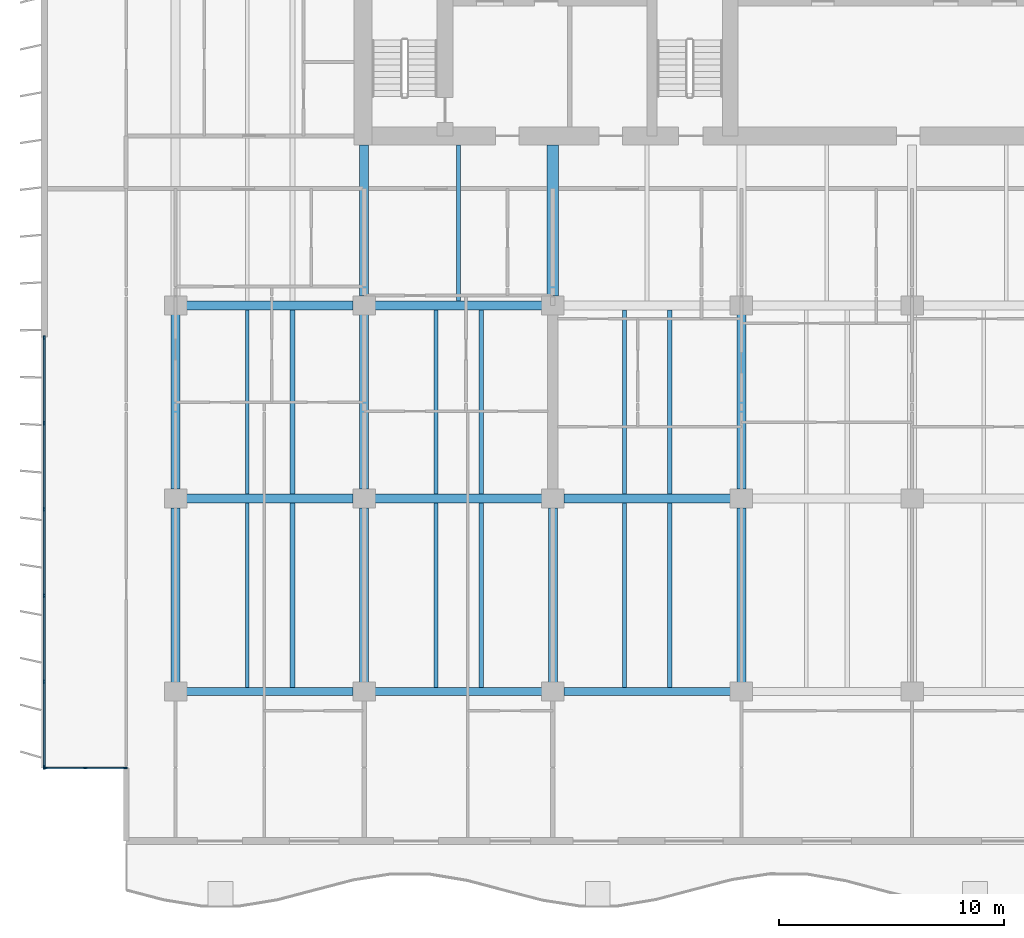
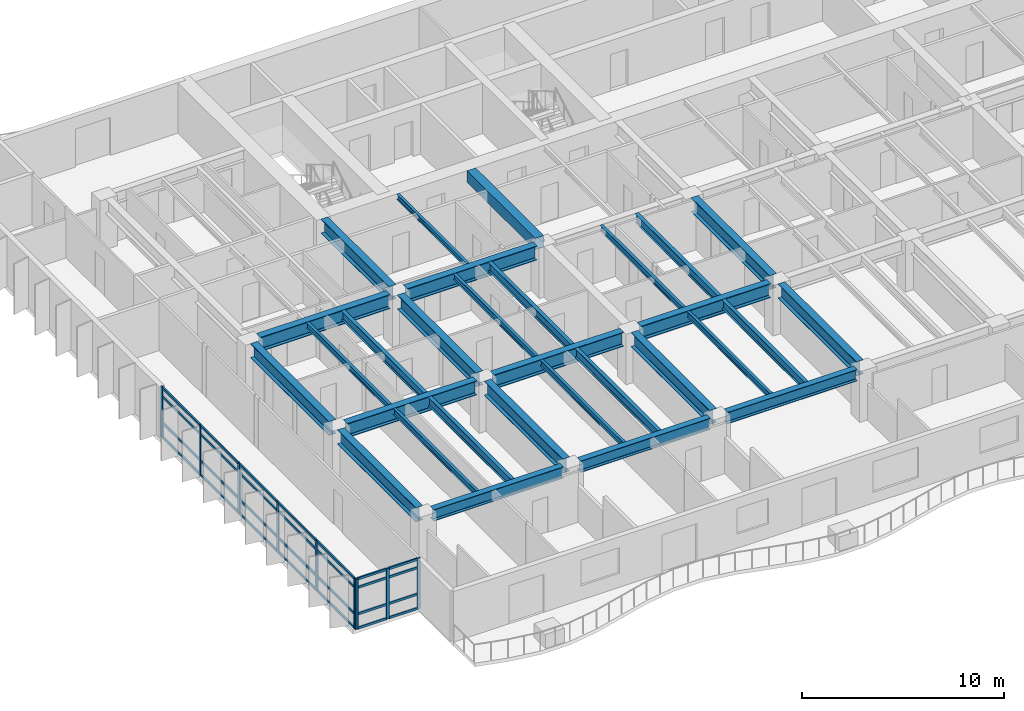
# One storey, part 2 of 16: 37 members, 30 beams, 2 elements without a shape of their own.
"""IFC4 building model written with IfcOpenShell, lengths in metres."""

import ifcopenshell
import ifcopenshell.guid

model = None  # the IFC model being written
_history = None  # IfcOwnerHistory: only IFC2X3 demands one
_inside = {}  # id of a spatial element -> (the spatial element, [elements in it])
_under = {}  # id of a project, library or spatial element -> (it, [spatial elements below it])
_declared = {}  # id of a project -> (the project, [libraries it declares])
_typed = {}  # id of a type object -> (the type object, [elements of that type])
_made_of = {}  # id of a material, layer set ... -> (it, [elements and type objects made of it])


def new_model(schema):
    """Start an empty IFC model of exactly this schema.

    Asked for "IFC4X3", IfcOpenShell would pick the latest addendum, in which some entities
    have other attributes; the version numbers below select the first issue.
    IFC2X3 requires an IfcOwnerHistory on every rooted entity: one is made here for all.
    """
    global model, _history
    if schema == "IFC4X3":
        model = ifcopenshell.file(schema_version=(4, 3, 0, 0))
    else:
        model = ifcopenshell.file(schema=schema)
    _inside.clear()
    _under.clear()
    _declared.clear()
    _typed.clear()
    _made_of.clear()
    _history = None
    if model.schema == "IFC2X3":
        org = make("IfcOrganization", Name="unknown")
        user = make(
            "IfcPersonAndOrganization",
            ThePerson=make("IfcPerson", FamilyName="unknown"),
            TheOrganization=org,
        )
        app = make(
            "IfcApplication",
            ApplicationDeveloper=org,
            Version="unknown",
            ApplicationFullName="unknown",
            ApplicationIdentifier="unknown",
        )
        _history = make(
            "IfcOwnerHistory",
            OwningUser=user,
            OwningApplication=app,
            ChangeAction="ADDED",
            CreationDate=0,
        )
    return model


def make(cls, **values):
    """One entity of the class cls with the attributes given. An attribute that is None is left unset."""
    return model.create_entity(
        cls, **{name: value for name, value in values.items() if value is not None}
    )


def rooted(cls, **values):
    """An entity with a GlobalId (a new one), such as an element, a storey or a relation."""
    return make(cls, GlobalId=ifcopenshell.guid.new(), OwnerHistory=_history, **values)


def si_unit(unit_type, name, prefix=None):
    """IfcSIUnit, for example si_unit("LENGTHUNIT", "METRE", prefix="MILLI")."""
    return make("IfcSIUnit", UnitType=unit_type, Prefix=prefix, Name=name)


def assignment(units):
    """IfcUnitAssignment: the units of a project."""
    return None if units is None else make("IfcUnitAssignment", Units=units)


def point(xyz):
    """IfcCartesianPoint."""
    return None if xyz is None else make("IfcCartesianPoint", Coordinates=xyz)


def direction(xyz):
    """IfcDirection."""
    return None if xyz is None else make("IfcDirection", DirectionRatios=xyz)


def frame(location, z_axis=None, x_axis=None):
    """IfcAxis2Placement3D, a coordinate frame: its origin and axes. An axis left out is left unset."""
    return make(
        "IfcAxis2Placement3D",
        Location=point(location),
        Axis=direction(z_axis),
        RefDirection=direction(x_axis),
    )


def frame_2d(location, x_axis=None):
    """IfcAxis2Placement2D, a coordinate frame in the plane: its origin and x axis."""
    return make(
        "IfcAxis2Placement2D", Location=point(location), RefDirection=direction(x_axis)
    )


def origin():
    """The frame at (0, 0, 0) with its axes left unset."""
    return frame((0.0, 0.0, 0.0))


def origin_2d():
    """The frame at (0, 0) in the plane with its x axis left unset."""
    return frame_2d((0.0, 0.0))


def place(relative_to, where):
    """IfcLocalPlacement: puts the frame where relative to a parent placement (None: the world)."""
    return make(
        "IfcLocalPlacement", PlacementRelTo=relative_to, RelativePlacement=where
    )


def context(
    kind, dimensions, precision=None, world=None, true_north=None, identifier=None
):
    """IfcGeometricRepresentationContext, for example the 3D "Model" context."""
    return make(
        "IfcGeometricRepresentationContext",
        ContextIdentifier=identifier,
        ContextType=kind,
        CoordinateSpaceDimension=dimensions,
        Precision=precision,
        WorldCoordinateSystem=world,
        TrueNorth=true_north,
    )


def subcontext(parent, identifier, kind, view, scale=None):
    """IfcGeometricRepresentationSubContext, for example "Body" below "Model"."""
    return make(
        "IfcGeometricRepresentationSubContext",
        ContextIdentifier=identifier,
        ContextType=kind,
        ParentContext=parent,
        TargetScale=scale,
        TargetView=view,
    )


def project(units=None, contexts=None):
    """IfcProject with its units and contexts."""
    return rooted(
        "IfcProject",
        Name="project",
        RepresentationContexts=contexts,
        UnitsInContext=assignment(units),
    )


def spatial(cls, under=None, at=None, **own):
    """A site, building, storey or space (cls), placed at a placement, below another one or the project."""
    s = rooted(cls, ObjectPlacement=at, **own)
    if under is not None:
        _under.setdefault(under.id(), (under, []))[1].append(s)
    return s


def profile(cls, at=None, kind="AREA", **sizes):
    """A parametric profile (cls). Its sizes go by their IFC names, for example OverallWidth=200.0."""
    return make(cls, ProfileType=kind, Position=at, **sizes)


def rectangle(**sizes):
    """IfcRectangleProfileDef."""
    return profile("IfcRectangleProfileDef", **sizes)


def i_section(**sizes):
    """IfcIShapeProfileDef."""
    return profile("IfcIShapeProfileDef", **sizes)


def extrude(swept, where, along, depth):
    """IfcExtrudedAreaSolid: the profile swept, set in the frame where, extruded along a direction by depth."""
    return make(
        "IfcExtrudedAreaSolid",
        SweptArea=swept,
        Position=where,
        ExtrudedDirection=direction(along),
        Depth=depth,
    )


def shape(context_of_items, identifier, shape_type, items):
    """IfcShapeRepresentation: the items that make up one representation, for example the "Body"."""
    return make(
        "IfcShapeRepresentation",
        ContextOfItems=context_of_items,
        RepresentationIdentifier=identifier,
        RepresentationType=shape_type,
        Items=items,
    )


def material(Name=None, Category=None):
    """IfcMaterial."""
    return make("IfcMaterial", Name=Name, Category=Category)


def layer(
    of_material, thickness, ventilated=None, Name=None, Category=None, Priority=None
):
    """IfcMaterialLayer: one layer of a wall or slab, of a material (None: an air gap)."""
    return make(
        "IfcMaterialLayer",
        Material=of_material,
        LayerThickness=thickness,
        IsVentilated=ventilated,
        Name=Name,
        Category=Category,
        Priority=Priority,
    )


def layer_set(layers, Name=None):
    """IfcMaterialLayerSet."""
    return make("IfcMaterialLayerSet", MaterialLayers=layers, LayerSetName=Name)


def material_profile(
    of_material, cross_section, Name=None, Category=None, Priority=None
):
    """IfcMaterialProfile: a cross section and its material."""
    return make(
        "IfcMaterialProfile",
        Name=Name,
        Material=of_material,
        Profile=cross_section,
        Priority=Priority,
        Category=Category,
    )


def profile_set(profiles, Name=None, composite=None):
    """IfcMaterialProfileSet."""
    return make(
        "IfcMaterialProfileSet",
        Name=Name,
        MaterialProfiles=profiles,
        CompositeProfile=composite,
    )


def made_of(thing, what):
    """Note that an element or type object is made of a material, layer set ...; save() writes the relation."""
    if what is not None:
        _made_of.setdefault(what.id(), (what, []))[1].append(thing)
    return thing


def type_object(cls, material=None, **own):
    """A type object (cls), such as IfcWallType, which elements share."""
    return made_of(rooted(cls, **own), material)


def element(
    cls,
    number,
    at=None,
    inside=None,
    cuts=None,
    type_object=None,
    material=None,
    context=None,
    identifier="Body",
    shape_type=None,
    held_by="IfcProductDefinitionShape",
    body=None,
    shapes=None,
    **own,
):
    """One element of the class cls, such as IfcWall. Its Tag is "e" and its number.

    at: its placement. inside: the storey or other place that contains it. cuts: it is an
    opening in that element (IfcRelVoidsElement). A single representation is given by context,
    identifier, shape_type and body (its items); several are given by shapes. held_by: the class
    of the entity that holds the representations. save() writes the other relations.
    """
    e = rooted(cls, Tag="e%d" % number, ObjectPlacement=at, **own)
    if body is not None:
        shapes = [shape(context, identifier, shape_type, body)]
    if shapes is not None:
        e.Representation = make(held_by, Representations=shapes)
    if inside is not None:
        _inside.setdefault(inside.id(), (inside, []))[1].append(e)
    if cuts is not None:
        rooted(
            "IfcRelVoidsElement", RelatingBuildingElement=cuts, RelatedOpeningElement=e
        )
    if type_object is not None:
        _typed.setdefault(type_object.id(), (type_object, []))[1].append(e)
    return made_of(e, material)


def aggregate(whole, parts):
    """IfcRelAggregates: a whole, such as a stair, and the parts it consists of."""
    return rooted("IfcRelAggregates", RelatingObject=whole, RelatedObjects=parts)


def save(model, path):
    """Write the relations noted so far, then the file.

    IfcRelAggregates (storeys below a building ...), IfcRelContainedInSpatialStructure (elements
    in a storey), IfcRelDefinesByType, IfcRelAssociatesMaterial and IfcRelDeclares: one each for
    every whole, place, type object, material and project.
    """
    for whole, parts in _under.values():
        aggregate(whole, parts)
    for where, things in _inside.values():
        rooted(
            "IfcRelContainedInSpatialStructure",
            RelatedElements=things,
            RelatingStructure=where,
        )
    for kind, things in _typed.values():
        rooted("IfcRelDefinesByType", RelatedObjects=things, RelatingType=kind)
    for what, things in _made_of.values():
        rooted("IfcRelAssociatesMaterial", RelatedObjects=things, RelatingMaterial=what)
    for by, libraries in _declared.values():
        rooted("IfcRelDeclares", RelatingContext=by, RelatedDefinitions=libraries)
    model.write(path)


model = new_model("IFC4")

# Units and contexts
model_context = context("Model", 3, precision=1e-05, world=origin(), true_north=direction((0.0, 1.0)))
body_context = subcontext(model_context, "Body", "Model", "MODEL_VIEW")
ifc_project = project(units=[si_unit("LENGTHUNIT", "METRE"), si_unit("AREAUNIT", "SQUARE_METRE"), si_unit("VOLUMEUNIT", "CUBIC_METRE"), si_unit("PLANEANGLEUNIT", "RADIAN"), si_unit("MASSUNIT", "GRAM", prefix="KILO")], contexts=[model_context])

# Site, building, storey
site_placement = place(None, origin())
site = spatial("IfcSite", under=ifc_project, at=site_placement, CompositionType="ELEMENT")
building_placement = place(site_placement, origin())
building = spatial("IfcBuilding", under=site, at=building_placement, Name="Caelmar Bay Residences", CompositionType="ELEMENT")
storey_placement = place(building_placement, frame((0.0, 0.0, 102.60009765625)))
storey = spatial("IfcBuildingStorey", under=building, at=storey_placement, Name="L27", CompositionType="ELEMENT", Elevation=102.60009765625)

# Beams
ifc_material_1 = material(Name="Steel ASTM A992 Grade 50", Category="steel")
ifc_material_profile_1 = material_profile(ifc_material_1, i_section(OverallWidth=0.40087890625, OverallDepth=0.861083984375, WebThickness=0.019775390625, FlangeThickness=0.032470703125, FilletRadius=0.017822265625, at=origin_2d()), Name="W33X221")
ifc_profile_set_1 = profile_set([ifc_material_profile_1], Name="Steel ASTM A992 Grade 50")
beam_type_1 = type_object("IfcBeamType", Name="BM-GRD-W33X221", PredefinedType="BEAM", material=ifc_profile_set_1)
beam_1_placement = place(storey_placement, frame((10.389892578125, 20.800048828125, 2.619384765625), z_axis=(1.0, 0.0, 0.0), x_axis=(0.0, 1.0, 0.0)))
element("IfcBeam", 1, at=beam_1_placement, inside=storey, type_object=beam_type_1, Name="L27 East-West Girder Y=20.80 (9.9-18.3)", PredefinedType="BEAM", context=body_context, shape_type="SweptSolid", body=[
    extrude(i_section(OverallWidth=0.40087890625, OverallDepth=0.861083984375, WebThickness=0.019775390625, FlangeThickness=0.032470703125, FilletRadius=0.017822265625, at=origin_2d()), origin(), (0.0, 0.0, 1.0), 7.420166015625),
])
beam_2_placement = place(storey_placement, frame((18.7900390625, 20.800048828125, 2.619384765625), z_axis=(1.0, 0.0, 0.0), x_axis=(0.0, 1.0, 0.0)))
element("IfcBeam", 2, at=beam_2_placement, inside=storey, type_object=beam_type_1, Name="L27 East-West Girder Y=20.80 (18.3-26.7)", PredefinedType="BEAM", context=body_context, shape_type="SweptSolid", body=[
    extrude(i_section(OverallWidth=0.40087890625, OverallDepth=0.861083984375, WebThickness=0.019775390625, FlangeThickness=0.032470703125, FilletRadius=0.017822265625, at=origin_2d()), origin(), (0.0, 0.0, 1.0), 7.419921875),
])
for number, where, z_axis, x_axis, name in (
    (3, (27.18994140625, 20.800048828125, 2.619384765625), (1.0, 0.0, 0.0), (0.0, 1.0, 0.0), "L27 East-West Girder Y=20.80 (26.7-35.1)"),
    (4, (10.389892578125, 29.39990234375, 2.619384765625), (1.0, 0.0, 0.0), (0.0, 1.0, 0.0), "L27 East-West Girder Y=29.40 (9.9-18.3)"),
):
    element("IfcBeam", number, at=place(storey_placement, frame(where, z_axis=z_axis, x_axis=x_axis)), inside=storey, type_object=beam_type_1, Name=name, PredefinedType="BEAM", context=body_context, shape_type="SweptSolid", body=[
        extrude(i_section(OverallWidth=0.40087890625, OverallDepth=0.861083984375, WebThickness=0.019775390625, FlangeThickness=0.032470703125, FilletRadius=0.017822265625, at=origin_2d()), origin(), (0.0, 0.0, 1.0), 7.420166015625),
    ])
beam_3_placement = place(storey_placement, frame((18.7900390625, 29.39990234375, 2.619384765625), z_axis=(1.0, 0.0, 0.0), x_axis=(0.0, 1.0, 0.0)))
element("IfcBeam", 5, at=beam_3_placement, inside=storey, type_object=beam_type_1, Name="L27 East-West Girder Y=29.40 (18.3-26.7)", PredefinedType="BEAM", context=body_context, shape_type="SweptSolid", body=[
    extrude(i_section(OverallWidth=0.40087890625, OverallDepth=0.861083984375, WebThickness=0.019775390625, FlangeThickness=0.032470703125, FilletRadius=0.017822265625, at=origin_2d()), origin(), (0.0, 0.0, 1.0), 7.419921875),
])
for number, where, z_axis, x_axis, name in (
    (6, (9.89990234375, 12.614990234375, 2.619384765625), (0.0, 1.0, 0.0), (-1.0, 0.0, 0.0), "L27 North-South Girder X=9.90 (12.2-20.8)"),
    (7, (9.89990234375, 21.215087890625, 2.619384765625), (0.0, 1.0, 0.0), (-1.0, 0.0, 0.0), "L27 North-South Girder X=9.90 (20.8-29.4)"),
):
    element("IfcBeam", number, at=place(storey_placement, frame(where, z_axis=z_axis, x_axis=x_axis)), inside=storey, type_object=beam_type_1, Name=name, PredefinedType="BEAM", context=body_context, shape_type="SweptSolid", body=[
        extrude(i_section(OverallWidth=0.40087890625, OverallDepth=0.861083984375, WebThickness=0.019775390625, FlangeThickness=0.032470703125, FilletRadius=0.017822265625, at=origin_2d()), origin(), (0.0, 0.0, 1.0), 7.77001953125),
    ])
beam_4_placement = place(storey_placement, frame((18.300048828125, 29.81494140625, 2.619384765625), z_axis=(0.0, 1.0, 0.0), x_axis=(-1.0, 0.0, 0.0)))
element("IfcBeam", 8, at=beam_4_placement, inside=storey, type_object=beam_type_1, Name="L27 Core Tie Girder X=18.30", PredefinedType="BEAM", context=body_context, shape_type="SweptSolid", body=[
    extrude(i_section(OverallWidth=0.40087890625, OverallDepth=0.861083984375, WebThickness=0.019775390625, FlangeThickness=0.032470703125, FilletRadius=0.017822265625, at=origin_2d()), origin(), (0.0, 0.0, 1.0), 6.735107421875),
])
for number, where, z_axis, x_axis, name in (
    (9, (18.300048828125, 12.614990234375, 2.619384765625), (0.0, 1.0, 0.0), (-1.0, 0.0, 0.0), "L27 North-South Girder X=18.30 (12.2-20.8)"),
    (10, (18.300048828125, 21.215087890625, 2.619384765625), (0.0, 1.0, 0.0), (-1.0, 0.0, 0.0), "L27 North-South Girder X=18.30 (20.8-29.4)"),
    (11, (26.699951171875, 12.614990234375, 2.619384765625), (0.0, 1.0, 0.0), (-1.0, 0.0, 0.0), "L27 North-South Girder X=26.70 (12.2-20.8)"),
    (12, (35.10009765625, 12.614990234375, 2.619384765625), (0.0, 1.0, 0.0), (-1.0, 0.0, 0.0), "L27 North-South Girder X=35.10 (12.2-20.8)"),
    (13, (35.10009765625, 21.215087890625, 2.619384765625), (0.0, 1.0, 0.0), (-1.0, 0.0, 0.0), "L27 North-South Girder X=35.10 (20.8-29.4)"),
):
    element("IfcBeam", number, at=place(storey_placement, frame(where, z_axis=z_axis, x_axis=x_axis)), inside=storey, type_object=beam_type_1, Name=name, PredefinedType="BEAM", context=body_context, shape_type="SweptSolid", body=[
        extrude(i_section(OverallWidth=0.40087890625, OverallDepth=0.861083984375, WebThickness=0.019775390625, FlangeThickness=0.032470703125, FilletRadius=0.017822265625, at=origin_2d()), origin(), (0.0, 0.0, 1.0), 7.77001953125),
    ])
ifc_material_profile_2 = material_profile(ifc_material_1, i_section(OverallWidth=0.1650390625, OverallDepth=0.31005859375, WebThickness=0.005859375, FlangeThickness=0.009765625, FilletRadius=0.007568359375, at=origin_2d()), Name="W12X26")
ifc_profile_set_2 = profile_set([ifc_material_profile_2], Name="Steel ASTM A992 Grade 50")
beam_type_2 = type_object("IfcBeamType", Name="BM-JST-W12X26", PredefinedType="JOIST", material=ifc_profile_set_2)
beam_5_placement = place(storey_placement, frame((22.5, 29.6005859375, 2.89501953125), z_axis=(0.0, 1.0, 0.0), x_axis=(-1.0, 0.0, 0.0)))
element("IfcBeam", 14, at=beam_5_placement, inside=storey, type_object=beam_type_2, Name="L27 Core-Band Composite Joist 29", PredefinedType="JOIST", context=body_context, shape_type="SweptSolid", body=[
    extrude(i_section(OverallWidth=0.1650390625, OverallDepth=0.31005859375, WebThickness=0.005859375, FlangeThickness=0.009765625, FilletRadius=0.007568359375, at=origin_2d()), origin(), (0.0, 0.0, 1.0), 6.949462890625),
])
ifc_material_profile_3 = material_profile(ifc_material_1, i_section(OverallWidth=0.1708984375, OverallDepth=0.35595703125, WebThickness=0.007080078125, FlangeThickness=0.01171875, FilletRadius=0.007568359375, at=origin_2d()), Name="W14X34")
ifc_profile_set_3 = profile_set([ifc_material_profile_3], Name="Steel ASTM A992 Grade 50")
beam_type_3 = type_object("IfcBeamType", Name="BM-JST-W14X34", PredefinedType="JOIST", material=ifc_profile_set_3)
for number, where, z_axis, x_axis, name in (
    (15, (13.092041015625, 12.3779296875, 2.871826171875), (0.0, 1.0, 0.0), (-1.0, 0.0, 0.0), "L27 Composite Floor Joist 1"),
    (16, (21.491943359375, 12.3779296875, 2.871826171875), (0.0, 1.0, 0.0), (-1.0, 0.0, 0.0), "L27 Composite Floor Joist 3"),
    (17, (29.89208984375, 12.3779296875, 2.871826171875), (0.0, 1.0, 0.0), (-1.0, 0.0, 0.0), "L27 Composite Floor Joist 5"),
):
    element("IfcBeam", number, at=place(storey_placement, frame(where, z_axis=z_axis, x_axis=x_axis)), inside=storey, type_object=beam_type_3, Name=name, PredefinedType="JOIST", context=body_context, shape_type="SweptSolid", body=[
        extrude(i_section(OverallWidth=0.1708984375, OverallDepth=0.35595703125, WebThickness=0.007080078125, FlangeThickness=0.01171875, FilletRadius=0.007568359375, at=origin_2d()), origin(), (0.0, 0.0, 1.0), 8.2216796875),
    ])
for number, where, z_axis, x_axis, name in (
    (18, (13.092041015625, 21.00048828125, 2.871826171875), (0.0, 1.0, 0.0), (-1.0, 0.0, 0.0), "L27 Composite Floor Joist 15"),
    (19, (21.491943359375, 21.00048828125, 2.871826171875), (0.0, 1.0, 0.0), (-1.0, 0.0, 0.0), "L27 Composite Floor Joist 17"),
    (20, (29.89208984375, 21.00048828125, 2.871826171875), (0.0, 1.0, 0.0), (-1.0, 0.0, 0.0), "L27 Composite Floor Joist 19"),
):
    element("IfcBeam", number, at=place(storey_placement, frame(where, z_axis=z_axis, x_axis=x_axis)), inside=storey, type_object=beam_type_3, Name=name, PredefinedType="JOIST", context=body_context, shape_type="SweptSolid", body=[
        extrude(i_section(OverallWidth=0.1708984375, OverallDepth=0.35595703125, WebThickness=0.007080078125, FlangeThickness=0.01171875, FilletRadius=0.007568359375, at=origin_2d()), origin(), (0.0, 0.0, 1.0), 8.198974609375),
    ])
ifc_material_profile_4 = material_profile(ifc_material_1, i_section(OverallWidth=0.2099609375, OverallDepth=0.535888671875, WebThickness=0.010986328125, FlangeThickness=0.017333984375, FilletRadius=0.0126953125, at=origin_2d()), Name="W21X68")
ifc_profile_set_4 = profile_set([ifc_material_profile_4], Name="Steel ASTM A992 Grade 50")
beam_type_4 = type_object("IfcBeamType", Name="BM-JST-W21X68", PredefinedType="JOIST", material=ifc_profile_set_4)
for number, where, z_axis, x_axis, name in (
    (21, (15.10791015625, 12.3779296875, 2.781982421875), (0.0, 1.0, 0.0), (-1.0, 0.0, 0.0), "L27 Composite Floor Joist 2"),
    (22, (23.508056640625, 12.3779296875, 2.781982421875), (0.0, 1.0, 0.0), (-1.0, 0.0, 0.0), "L27 Composite Floor Joist 4"),
    (23, (31.907958984375, 12.3779296875, 2.781982421875), (0.0, 1.0, 0.0), (-1.0, 0.0, 0.0), "L27 Composite Floor Joist 6"),
):
    element("IfcBeam", number, at=place(storey_placement, frame(where, z_axis=z_axis, x_axis=x_axis)), inside=storey, type_object=beam_type_4, Name=name, PredefinedType="JOIST", context=body_context, shape_type="SweptSolid", body=[
        extrude(i_section(OverallWidth=0.2099609375, OverallDepth=0.535888671875, WebThickness=0.010986328125, FlangeThickness=0.017333984375, FilletRadius=0.0126953125, at=origin_2d()), origin(), (0.0, 0.0, 1.0), 8.2216796875),
    ])
for number, where, z_axis, x_axis, name in (
    (24, (15.10791015625, 21.00048828125, 2.781982421875), (0.0, 1.0, 0.0), (-1.0, 0.0, 0.0), "L27 Composite Floor Joist 16"),
    (25, (23.508056640625, 21.00048828125, 2.781982421875), (0.0, 1.0, 0.0), (-1.0, 0.0, 0.0), "L27 Composite Floor Joist 18"),
    (26, (31.907958984375, 21.00048828125, 2.781982421875), (0.0, 1.0, 0.0), (-1.0, 0.0, 0.0), "L27 Composite Floor Joist 20"),
):
    element("IfcBeam", number, at=place(storey_placement, frame(where, z_axis=z_axis, x_axis=x_axis)), inside=storey, type_object=beam_type_4, Name=name, PredefinedType="JOIST", context=body_context, shape_type="SweptSolid", body=[
        extrude(i_section(OverallWidth=0.2099609375, OverallDepth=0.535888671875, WebThickness=0.010986328125, FlangeThickness=0.017333984375, FilletRadius=0.0126953125, at=origin_2d()), origin(), (0.0, 0.0, 1.0), 8.198974609375),
    ])
ifc_material_2 = material(Name="Concrete f'c 55 MPa (8,000 psi)", Category="concrete")
ifc_material_profile_5 = material_profile(ifc_material_2, rectangle(XDim=0.5, YDim=0.699951171875, at=origin_2d()), Name="RC-BM-500X700")
ifc_profile_set_5 = profile_set([ifc_material_profile_5], Name="Concrete f'c 55 MPa (8,000 psi)")
beam_type_5 = type_object("IfcBeamType", Name="BM-RC-500X700", PredefinedType="LINTEL", material=ifc_profile_set_5)
beam_6_placement = place(storey_placement, frame((26.699951171875, 29.81494140625, 2.699951171875), z_axis=(0.0, 1.0, 0.0), x_axis=(-1.0, 0.0, 0.0)))
element("IfcBeam", 27, at=beam_6_placement, inside=storey, type_object=beam_type_5, Name="L27 Shear-Wall Corridor Coupling Lintel W5", PredefinedType="LINTEL", context=body_context, shape_type="SweptSolid", body=[
    extrude(rectangle(XDim=0.5, YDim=0.699951171875, at=origin_2d()), origin(), (0.0, 0.0, 1.0), 6.735107421875),
])
ifc_material_profile_6 = material_profile(ifc_material_1, i_section(OverallWidth=0.35595703125, OverallDepth=0.696044921875, WebThickness=0.015380859375, FlangeThickness=0.02490234375, FilletRadius=0.01513671875, at=origin_2d()), Name="W27X146")
ifc_profile_set_6 = profile_set([ifc_material_profile_6], Name="Steel ASTM A992 Grade 50")
beam_type_6 = type_object("IfcBeamType", Name="BM-SPN-W27X146", PredefinedType="SPANDREL", material=ifc_profile_set_6)
beam_7_placement = place(storey_placement, frame((10.389892578125, 12.199951171875, 2.701904296875), z_axis=(1.0, 0.0, 0.0), x_axis=(0.0, 1.0, 0.0)))
element("IfcBeam", 28, at=beam_7_placement, inside=storey, type_object=beam_type_6, Name="L27 East-West Girder Y=12.20 (9.9-18.3)", PredefinedType="SPANDREL", context=body_context, shape_type="SweptSolid", body=[
    extrude(i_section(OverallWidth=0.35595703125, OverallDepth=0.696044921875, WebThickness=0.015380859375, FlangeThickness=0.02490234375, FilletRadius=0.01513671875, at=origin_2d()), origin(), (0.0, 0.0, 1.0), 7.420166015625),
])
beam_8_placement = place(storey_placement, frame((18.7900390625, 12.199951171875, 2.701904296875), z_axis=(1.0, 0.0, 0.0), x_axis=(0.0, 1.0, 0.0)))
element("IfcBeam", 29, at=beam_8_placement, inside=storey, type_object=beam_type_6, Name="L27 East-West Girder Y=12.20 (18.3-26.7)", PredefinedType="SPANDREL", context=body_context, shape_type="SweptSolid", body=[
    extrude(i_section(OverallWidth=0.35595703125, OverallDepth=0.696044921875, WebThickness=0.015380859375, FlangeThickness=0.02490234375, FilletRadius=0.01513671875, at=origin_2d()), origin(), (0.0, 0.0, 1.0), 7.419921875),
])
beam_9_placement = place(storey_placement, frame((27.18994140625, 12.199951171875, 2.701904296875), z_axis=(1.0, 0.0, 0.0), x_axis=(0.0, 1.0, 0.0)))
element("IfcBeam", 30, at=beam_9_placement, inside=storey, type_object=beam_type_6, Name="L27 East-West Girder Y=12.20 (26.7-35.1)", PredefinedType="SPANDREL", context=body_context, shape_type="SweptSolid", body=[
    extrude(i_section(OverallWidth=0.35595703125, OverallDepth=0.696044921875, WebThickness=0.015380859375, FlangeThickness=0.02490234375, FilletRadius=0.01513671875, at=origin_2d()), origin(), (0.0, 0.0, 1.0), 7.420166015625),
])

# Curtain wall, members
ifc_material_3 = material(Name="Anodised bronze aluminium 6063-T6 and laminated glass", Category="aluminium")
ifc_layer_1 = layer(ifc_material_3, 0.179931640625)
ifc_layer_set_1 = layer_set([ifc_layer_1], Name="Anodised bronze aluminium 6063-T6 and laminated glass")
curtain_wall_type_1 = type_object("IfcCurtainWallType", Name="CW6-NTC", PredefinedType="NOTDEFINED", material=ifc_layer_set_1)
curtain_wall_1_placement = place(storey_placement, origin())
curtain_wall_1 = element("IfcCurtainWall", 31, at=curtain_wall_1_placement, inside=storey, type_object=curtain_wall_type_1, Name="CW6 curtain wall L27", PredefinedType="NOTDEFINED")
ifc_material_4 = material(Name="Anodised bronze aluminium 6063-T6", Category="aluminium")
ifc_material_profile_7 = material_profile(ifc_material_4, rectangle(XDim=0.080078125, YDim=0.179931640625, at=origin_2d()), Name="CWM-80X180")
ifc_profile_set_7 = profile_set([ifc_material_profile_7], Name="Anodised bronze aluminium 6063-T6")
member_type_1 = type_object("IfcMemberType", Name="CWM-180", PredefinedType="MULLION", material=ifc_profile_set_7)
member_1_placement = place(storey_placement, frame((4.090087890625, 8.800048828125, 0.0), z_axis=(0.0, 0.0, 1.0), x_axis=(0.0, 1.0, 0.0)))
member_1 = element("IfcMember", 32, at=member_1_placement, type_object=member_type_1, Name="CW6 mullion 1", PredefinedType="MULLION", context=body_context, shape_type="SweptSolid", body=[
    extrude(rectangle(XDim=0.080078125, YDim=0.179931640625, at=origin_2d()), origin(), (0.0, 0.0, 1.0), 3.0498046875),
])
member_2_placement = place(storey_placement, frame((5.875, 8.800048828125, 0.0), z_axis=(0.0, 0.0, 1.0), x_axis=(0.0, 1.0, 0.0)))
member_2 = element("IfcMember", 33, at=member_2_placement, type_object=member_type_1, Name="CW6 mullion 2", PredefinedType="MULLION", context=body_context, shape_type="SweptSolid", body=[
    extrude(rectangle(XDim=0.080078125, YDim=0.179931640625, at=origin_2d()), origin(), (0.0, 0.0, 1.0), 3.0498046875),
])
member_3_placement = place(storey_placement, frame((7.659912109375, 8.800048828125, 0.0), z_axis=(0.0, 0.0, 1.0), x_axis=(0.0, 1.0, 0.0)))
member_3 = element("IfcMember", 34, at=member_3_placement, type_object=member_type_1, Name="CW6 mullion 3", PredefinedType="MULLION", context=body_context, shape_type="SweptSolid", body=[
    extrude(rectangle(XDim=0.080078125, YDim=0.179931640625, at=origin_2d()), origin(), (0.0, 0.0, 1.0), 3.0498046875),
])

ifc_layer_2 = layer(ifc_material_3, 0.179931640625)
ifc_layer_set_2 = layer_set([ifc_layer_2], Name="Anodised bronze aluminium 6063-T6 and laminated glass")
curtain_wall_type_2 = type_object("IfcCurtainWallType", Name="CW3-Z2", PredefinedType="NOTDEFINED", material=ifc_layer_set_2)
curtain_wall_2_placement = place(storey_placement, origin())
curtain_wall_2 = element("IfcCurtainWall", 35, at=curtain_wall_2_placement, inside=storey, type_object=curtain_wall_type_2, Name="CW3 curtain wall L27", PredefinedType="NOTDEFINED")
member_4_placement = place(storey_placement, frame((4.050048828125, 8.840087890625, 0.0), z_axis=(0.0, 0.0, 1.0), x_axis=(-1.0, 0.0, 0.0)))
member_4 = element("IfcMember", 36, at=member_4_placement, type_object=member_type_1, Name="CW3 mullion 1", PredefinedType="MULLION", context=body_context, shape_type="SweptSolid", body=[
    extrude(rectangle(XDim=0.080078125, YDim=0.179931640625, at=origin_2d()), origin(), (0.0, 0.0, 1.0), 3.0498046875),
])
member_5_placement = place(storey_placement, frame((4.050048828125, 12.639892578125, 0.0), z_axis=(0.0, 0.0, 1.0), x_axis=(-1.0, 0.0, 0.0)))
member_5 = element("IfcMember", 37, at=member_5_placement, type_object=member_type_1, Name="CW3 mullion 2", PredefinedType="MULLION", context=body_context, shape_type="SweptSolid", body=[
    extrude(rectangle(XDim=0.080078125, YDim=0.179931640625, at=origin_2d()), origin(), (0.0, 0.0, 1.0), 3.0498046875),
])
member_6_placement = place(storey_placement, frame((4.050048828125, 16.47998046875, 0.0), z_axis=(0.0, 0.0, 1.0), x_axis=(-1.0, 0.0, 0.0)))
member_6 = element("IfcMember", 38, at=member_6_placement, type_object=member_type_1, Name="CW3 mullion 3", PredefinedType="MULLION", context=body_context, shape_type="SweptSolid", body=[
    extrude(rectangle(XDim=0.080078125, YDim=0.179931640625, at=origin_2d()), origin(), (0.0, 0.0, 1.0), 3.0498046875),
])
member_7_placement = place(storey_placement, frame((4.050048828125, 20.320068359375, 0.0), z_axis=(0.0, 0.0, 1.0), x_axis=(-1.0, 0.0, 0.0)))
member_7 = element("IfcMember", 39, at=member_7_placement, type_object=member_type_1, Name="CW3 mullion 4", PredefinedType="MULLION", context=body_context, shape_type="SweptSolid", body=[
    extrude(rectangle(XDim=0.080078125, YDim=0.179931640625, at=origin_2d()), origin(), (0.0, 0.0, 1.0), 3.0498046875),
])
member_8_placement = place(storey_placement, frame((4.050048828125, 24.159912109375, 0.0), z_axis=(0.0, 0.0, 1.0), x_axis=(-1.0, 0.0, 0.0)))
member_8 = element("IfcMember", 40, at=member_8_placement, type_object=member_type_1, Name="CW3 mullion 5", PredefinedType="MULLION", context=body_context, shape_type="SweptSolid", body=[
    extrude(rectangle(XDim=0.080078125, YDim=0.179931640625, at=origin_2d()), origin(), (0.0, 0.0, 1.0), 3.0498046875),
])
member_9_placement = place(storey_placement, frame((4.050048828125, 27.9599609375, 0.0), z_axis=(0.0, 0.0, 1.0), x_axis=(-1.0, 0.0, 0.0)))
member_9 = element("IfcMember", 41, at=member_9_placement, type_object=member_type_1, Name="CW3 mullion 6", PredefinedType="MULLION", context=body_context, shape_type="SweptSolid", body=[
    extrude(rectangle(XDim=0.080078125, YDim=0.179931640625, at=origin_2d()), origin(), (0.0, 0.0, 1.0), 3.0498046875),
])

# Member
ifc_material_profile_8 = material_profile(ifc_material_4, rectangle(XDim=0.080078125, YDim=0.139892578125, at=origin_2d()), Name="CWT-80X140")
ifc_profile_set_8 = profile_set([ifc_material_profile_8], Name="Anodised bronze aluminium 6063-T6")
member_type_2 = type_object("IfcMemberType", Name="CWT-140", PredefinedType="NOTDEFINED", material=ifc_profile_set_8)
member_10_placement = place(storey_placement, frame((4.1298828125, 8.800048828125, 0.039794921875), z_axis=(1.0, 0.0, 0.0), x_axis=(0.0, 1.0, 0.0)))
member_10 = element("IfcMember", 42, at=member_10_placement, type_object=member_type_2, Name="CW6 transom 1.1", ObjectType="TRANSOM", PredefinedType="USERDEFINED", context=body_context, shape_type="SweptSolid", body=[
    extrude(rectangle(XDim=0.080078125, YDim=0.139892578125, at=origin_2d()), origin(), (0.0, 0.0, 1.0), 1.705078125),
])

member_11_placement = place(storey_placement, frame((4.1298828125, 8.800048828125, 0.89990234375), z_axis=(1.0, 0.0, 0.0), x_axis=(0.0, 1.0, 0.0)))
member_11 = element("IfcMember", 43, at=member_11_placement, type_object=member_type_2, Name="CW6 transom 1.2", ObjectType="TRANSOM", PredefinedType="USERDEFINED", context=body_context, shape_type="SweptSolid", body=[
    extrude(rectangle(XDim=0.080078125, YDim=0.139892578125, at=origin_2d()), origin(), (0.0, 0.0, 1.0), 1.705078125),
])

member_12_placement = place(storey_placement, frame((4.1298828125, 8.800048828125, 2.5), z_axis=(1.0, 0.0, 0.0), x_axis=(0.0, 1.0, 0.0)))
member_12 = element("IfcMember", 44, at=member_12_placement, type_object=member_type_2, Name="CW6 transom 1.3", ObjectType="TRANSOM", PredefinedType="USERDEFINED", context=body_context, shape_type="SweptSolid", body=[
    extrude(rectangle(XDim=0.080078125, YDim=0.139892578125, at=origin_2d()), origin(), (0.0, 0.0, 1.0), 1.705078125),
])

member_13_placement = place(storey_placement, frame((4.1298828125, 8.800048828125, 3.010009765625), z_axis=(1.0, 0.0, 0.0), x_axis=(0.0, 1.0, 0.0)))
member_13 = element("IfcMember", 45, at=member_13_placement, type_object=member_type_2, Name="CW6 transom 1.4", ObjectType="TRANSOM", PredefinedType="USERDEFINED", context=body_context, shape_type="SweptSolid", body=[
    extrude(rectangle(XDim=0.080078125, YDim=0.139892578125, at=origin_2d()), origin(), (0.0, 0.0, 1.0), 1.705078125),
])

member_14_placement = place(storey_placement, frame((5.9150390625, 8.800048828125, 0.039794921875), z_axis=(1.0, 0.0, 0.0), x_axis=(0.0, 1.0, 0.0)))
member_14 = element("IfcMember", 46, at=member_14_placement, type_object=member_type_2, Name="CW6 transom 2.1", ObjectType="TRANSOM", PredefinedType="USERDEFINED", context=body_context, shape_type="SweptSolid", body=[
    extrude(rectangle(XDim=0.080078125, YDim=0.139892578125, at=origin_2d()), origin(), (0.0, 0.0, 1.0), 1.705078125),
])

member_15_placement = place(storey_placement, frame((5.9150390625, 8.800048828125, 0.89990234375), z_axis=(1.0, 0.0, 0.0), x_axis=(0.0, 1.0, 0.0)))
member_15 = element("IfcMember", 47, at=member_15_placement, type_object=member_type_2, Name="CW6 transom 2.2", ObjectType="TRANSOM", PredefinedType="USERDEFINED", context=body_context, shape_type="SweptSolid", body=[
    extrude(rectangle(XDim=0.080078125, YDim=0.139892578125, at=origin_2d()), origin(), (0.0, 0.0, 1.0), 1.705078125),
])

member_16_placement = place(storey_placement, frame((5.9150390625, 8.800048828125, 2.5), z_axis=(1.0, 0.0, 0.0), x_axis=(0.0, 1.0, 0.0)))
member_16 = element("IfcMember", 48, at=member_16_placement, type_object=member_type_2, Name="CW6 transom 2.3", ObjectType="TRANSOM", PredefinedType="USERDEFINED", context=body_context, shape_type="SweptSolid", body=[
    extrude(rectangle(XDim=0.080078125, YDim=0.139892578125, at=origin_2d()), origin(), (0.0, 0.0, 1.0), 1.705078125),
])

member_17_placement = place(storey_placement, frame((5.9150390625, 8.800048828125, 3.010009765625), z_axis=(1.0, 0.0, 0.0), x_axis=(0.0, 1.0, 0.0)))
member_17 = element("IfcMember", 49, at=member_17_placement, type_object=member_type_2, Name="CW6 transom 2.4", ObjectType="TRANSOM", PredefinedType="USERDEFINED", context=body_context, shape_type="SweptSolid", body=[
    extrude(rectangle(XDim=0.080078125, YDim=0.139892578125, at=origin_2d()), origin(), (0.0, 0.0, 1.0), 1.705078125),
])

aggregate(curtain_wall_1, [member_1, member_2, member_3, member_10, member_11, member_12, member_13, member_14, member_15, member_16, member_17])

member_18_placement = place(storey_placement, frame((4.050048828125, 8.8798828125, 0.039794921875), z_axis=(0.0, 1.0, 0.0), x_axis=(-1.0, 0.0, 0.0)))
member_18 = element("IfcMember", 50, at=member_18_placement, type_object=member_type_2, Name="CW3 transom 1.1", ObjectType="TRANSOM", PredefinedType="USERDEFINED", context=body_context, shape_type="SweptSolid", body=[
    extrude(rectangle(XDim=0.080078125, YDim=0.139892578125, at=origin_2d()), origin(), (0.0, 0.0, 1.0), 3.72021484375),
])

member_19_placement = place(storey_placement, frame((4.050048828125, 8.8798828125, 0.89990234375), z_axis=(0.0, 1.0, 0.0), x_axis=(-1.0, 0.0, 0.0)))
member_19 = element("IfcMember", 51, at=member_19_placement, type_object=member_type_2, Name="CW3 transom 1.2", ObjectType="TRANSOM", PredefinedType="USERDEFINED", context=body_context, shape_type="SweptSolid", body=[
    extrude(rectangle(XDim=0.080078125, YDim=0.139892578125, at=origin_2d()), origin(), (0.0, 0.0, 1.0), 3.72021484375),
])

member_20_placement = place(storey_placement, frame((4.050048828125, 8.8798828125, 2.5), z_axis=(0.0, 1.0, 0.0), x_axis=(-1.0, 0.0, 0.0)))
member_20 = element("IfcMember", 52, at=member_20_placement, type_object=member_type_2, Name="CW3 transom 1.3", ObjectType="TRANSOM", PredefinedType="USERDEFINED", context=body_context, shape_type="SweptSolid", body=[
    extrude(rectangle(XDim=0.080078125, YDim=0.139892578125, at=origin_2d()), origin(), (0.0, 0.0, 1.0), 3.72021484375),
])

member_21_placement = place(storey_placement, frame((4.050048828125, 8.8798828125, 3.010009765625), z_axis=(0.0, 1.0, 0.0), x_axis=(-1.0, 0.0, 0.0)))
member_21 = element("IfcMember", 53, at=member_21_placement, type_object=member_type_2, Name="CW3 transom 1.4", ObjectType="TRANSOM", PredefinedType="USERDEFINED", context=body_context, shape_type="SweptSolid", body=[
    extrude(rectangle(XDim=0.080078125, YDim=0.139892578125, at=origin_2d()), origin(), (0.0, 0.0, 1.0), 3.72021484375),
])

member_22_placement = place(storey_placement, frame((4.050048828125, 12.679931640625, 0.039794921875), z_axis=(0.0, 1.0, 0.0), x_axis=(-1.0, 0.0, 0.0)))
member_22 = element("IfcMember", 54, at=member_22_placement, type_object=member_type_2, Name="CW3 transom 2.1", ObjectType="TRANSOM", PredefinedType="USERDEFINED", context=body_context, shape_type="SweptSolid", body=[
    extrude(rectangle(XDim=0.080078125, YDim=0.139892578125, at=origin_2d()), origin(), (0.0, 0.0, 1.0), 3.760009765625),
])

member_23_placement = place(storey_placement, frame((4.050048828125, 12.679931640625, 0.89990234375), z_axis=(0.0, 1.0, 0.0), x_axis=(-1.0, 0.0, 0.0)))
member_23 = element("IfcMember", 55, at=member_23_placement, type_object=member_type_2, Name="CW3 transom 2.2", ObjectType="TRANSOM", PredefinedType="USERDEFINED", context=body_context, shape_type="SweptSolid", body=[
    extrude(rectangle(XDim=0.080078125, YDim=0.139892578125, at=origin_2d()), origin(), (0.0, 0.0, 1.0), 3.760009765625),
])

member_24_placement = place(storey_placement, frame((4.050048828125, 12.679931640625, 2.5), z_axis=(0.0, 1.0, 0.0), x_axis=(-1.0, 0.0, 0.0)))
member_24 = element("IfcMember", 56, at=member_24_placement, type_object=member_type_2, Name="CW3 transom 2.3", ObjectType="TRANSOM", PredefinedType="USERDEFINED", context=body_context, shape_type="SweptSolid", body=[
    extrude(rectangle(XDim=0.080078125, YDim=0.139892578125, at=origin_2d()), origin(), (0.0, 0.0, 1.0), 3.760009765625),
])

member_25_placement = place(storey_placement, frame((4.050048828125, 12.679931640625, 3.010009765625), z_axis=(0.0, 1.0, 0.0), x_axis=(-1.0, 0.0, 0.0)))
member_25 = element("IfcMember", 57, at=member_25_placement, type_object=member_type_2, Name="CW3 transom 2.4", ObjectType="TRANSOM", PredefinedType="USERDEFINED", context=body_context, shape_type="SweptSolid", body=[
    extrude(rectangle(XDim=0.080078125, YDim=0.139892578125, at=origin_2d()), origin(), (0.0, 0.0, 1.0), 3.760009765625),
])

member_26_placement = place(storey_placement, frame((4.050048828125, 16.52001953125, 0.039794921875), z_axis=(0.0, 1.0, 0.0), x_axis=(-1.0, 0.0, 0.0)))
member_26 = element("IfcMember", 58, at=member_26_placement, type_object=member_type_2, Name="CW3 transom 3.1", ObjectType="TRANSOM", PredefinedType="USERDEFINED", context=body_context, shape_type="SweptSolid", body=[
    extrude(rectangle(XDim=0.080078125, YDim=0.139892578125, at=origin_2d()), origin(), (0.0, 0.0, 1.0), 3.760009765625),
])

member_27_placement = place(storey_placement, frame((4.050048828125, 16.52001953125, 0.89990234375), z_axis=(0.0, 1.0, 0.0), x_axis=(-1.0, 0.0, 0.0)))
member_27 = element("IfcMember", 59, at=member_27_placement, type_object=member_type_2, Name="CW3 transom 3.2", ObjectType="TRANSOM", PredefinedType="USERDEFINED", context=body_context, shape_type="SweptSolid", body=[
    extrude(rectangle(XDim=0.080078125, YDim=0.139892578125, at=origin_2d()), origin(), (0.0, 0.0, 1.0), 3.760009765625),
])

member_28_placement = place(storey_placement, frame((4.050048828125, 16.52001953125, 2.5), z_axis=(0.0, 1.0, 0.0), x_axis=(-1.0, 0.0, 0.0)))
member_28 = element("IfcMember", 60, at=member_28_placement, type_object=member_type_2, Name="CW3 transom 3.3", ObjectType="TRANSOM", PredefinedType="USERDEFINED", context=body_context, shape_type="SweptSolid", body=[
    extrude(rectangle(XDim=0.080078125, YDim=0.139892578125, at=origin_2d()), origin(), (0.0, 0.0, 1.0), 3.760009765625),
])

member_29_placement = place(storey_placement, frame((4.050048828125, 16.52001953125, 3.010009765625), z_axis=(0.0, 1.0, 0.0), x_axis=(-1.0, 0.0, 0.0)))
member_29 = element("IfcMember", 61, at=member_29_placement, type_object=member_type_2, Name="CW3 transom 3.4", ObjectType="TRANSOM", PredefinedType="USERDEFINED", context=body_context, shape_type="SweptSolid", body=[
    extrude(rectangle(XDim=0.080078125, YDim=0.139892578125, at=origin_2d()), origin(), (0.0, 0.0, 1.0), 3.760009765625),
])

member_30_placement = place(storey_placement, frame((4.050048828125, 20.360107421875, 0.039794921875), z_axis=(0.0, 1.0, 0.0), x_axis=(-1.0, 0.0, 0.0)))
member_30 = element("IfcMember", 62, at=member_30_placement, type_object=member_type_2, Name="CW3 transom 4.1", ObjectType="TRANSOM", PredefinedType="USERDEFINED", context=body_context, shape_type="SweptSolid", body=[
    extrude(rectangle(XDim=0.080078125, YDim=0.139892578125, at=origin_2d()), origin(), (0.0, 0.0, 1.0), 3.760009765625),
])

member_31_placement = place(storey_placement, frame((4.050048828125, 20.360107421875, 0.89990234375), z_axis=(0.0, 1.0, 0.0), x_axis=(-1.0, 0.0, 0.0)))
member_31 = element("IfcMember", 63, at=member_31_placement, type_object=member_type_2, Name="CW3 transom 4.2", ObjectType="TRANSOM", PredefinedType="USERDEFINED", context=body_context, shape_type="SweptSolid", body=[
    extrude(rectangle(XDim=0.080078125, YDim=0.139892578125, at=origin_2d()), origin(), (0.0, 0.0, 1.0), 3.760009765625),
])

member_32_placement = place(storey_placement, frame((4.050048828125, 20.360107421875, 2.5), z_axis=(0.0, 1.0, 0.0), x_axis=(-1.0, 0.0, 0.0)))
member_32 = element("IfcMember", 64, at=member_32_placement, type_object=member_type_2, Name="CW3 transom 4.3", ObjectType="TRANSOM", PredefinedType="USERDEFINED", context=body_context, shape_type="SweptSolid", body=[
    extrude(rectangle(XDim=0.080078125, YDim=0.139892578125, at=origin_2d()), origin(), (0.0, 0.0, 1.0), 3.760009765625),
])

member_33_placement = place(storey_placement, frame((4.050048828125, 20.360107421875, 3.010009765625), z_axis=(0.0, 1.0, 0.0), x_axis=(-1.0, 0.0, 0.0)))
member_33 = element("IfcMember", 65, at=member_33_placement, type_object=member_type_2, Name="CW3 transom 4.4", ObjectType="TRANSOM", PredefinedType="USERDEFINED", context=body_context, shape_type="SweptSolid", body=[
    extrude(rectangle(XDim=0.080078125, YDim=0.139892578125, at=origin_2d()), origin(), (0.0, 0.0, 1.0), 3.760009765625),
])

member_34_placement = place(storey_placement, frame((4.050048828125, 24.199951171875, 0.039794921875), z_axis=(0.0, 1.0, 0.0), x_axis=(-1.0, 0.0, 0.0)))
member_34 = element("IfcMember", 66, at=member_34_placement, type_object=member_type_2, Name="CW3 transom 5.1", ObjectType="TRANSOM", PredefinedType="USERDEFINED", context=body_context, shape_type="SweptSolid", body=[
    extrude(rectangle(XDim=0.080078125, YDim=0.139892578125, at=origin_2d()), origin(), (0.0, 0.0, 1.0), 3.719970703125),
])

member_35_placement = place(storey_placement, frame((4.050048828125, 24.199951171875, 0.89990234375), z_axis=(0.0, 1.0, 0.0), x_axis=(-1.0, 0.0, 0.0)))
member_35 = element("IfcMember", 67, at=member_35_placement, type_object=member_type_2, Name="CW3 transom 5.2", ObjectType="TRANSOM", PredefinedType="USERDEFINED", context=body_context, shape_type="SweptSolid", body=[
    extrude(rectangle(XDim=0.080078125, YDim=0.139892578125, at=origin_2d()), origin(), (0.0, 0.0, 1.0), 3.719970703125),
])

member_36_placement = place(storey_placement, frame((4.050048828125, 24.199951171875, 2.5), z_axis=(0.0, 1.0, 0.0), x_axis=(-1.0, 0.0, 0.0)))
member_36 = element("IfcMember", 68, at=member_36_placement, type_object=member_type_2, Name="CW3 transom 5.3", ObjectType="TRANSOM", PredefinedType="USERDEFINED", context=body_context, shape_type="SweptSolid", body=[
    extrude(rectangle(XDim=0.080078125, YDim=0.139892578125, at=origin_2d()), origin(), (0.0, 0.0, 1.0), 3.719970703125),
])

member_37_placement = place(storey_placement, frame((4.050048828125, 24.199951171875, 3.010009765625), z_axis=(0.0, 1.0, 0.0), x_axis=(-1.0, 0.0, 0.0)))
member_37 = element("IfcMember", 69, at=member_37_placement, type_object=member_type_2, Name="CW3 transom 5.4", ObjectType="TRANSOM", PredefinedType="USERDEFINED", context=body_context, shape_type="SweptSolid", body=[
    extrude(rectangle(XDim=0.080078125, YDim=0.139892578125, at=origin_2d()), origin(), (0.0, 0.0, 1.0), 3.719970703125),
])

aggregate(curtain_wall_2, [member_4, member_5, member_6, member_7, member_8, member_9, member_18, member_19, member_20, member_21, member_22, member_23, member_24, member_25, member_26, member_27, member_28, member_29, member_30, member_31, member_32, member_33, member_34, member_35, member_36, member_37])

save(model, "model.ifc")
